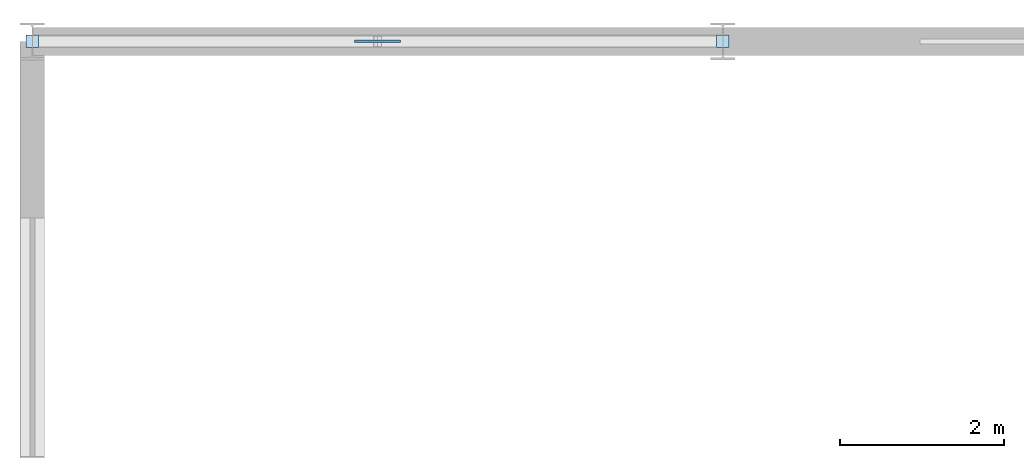
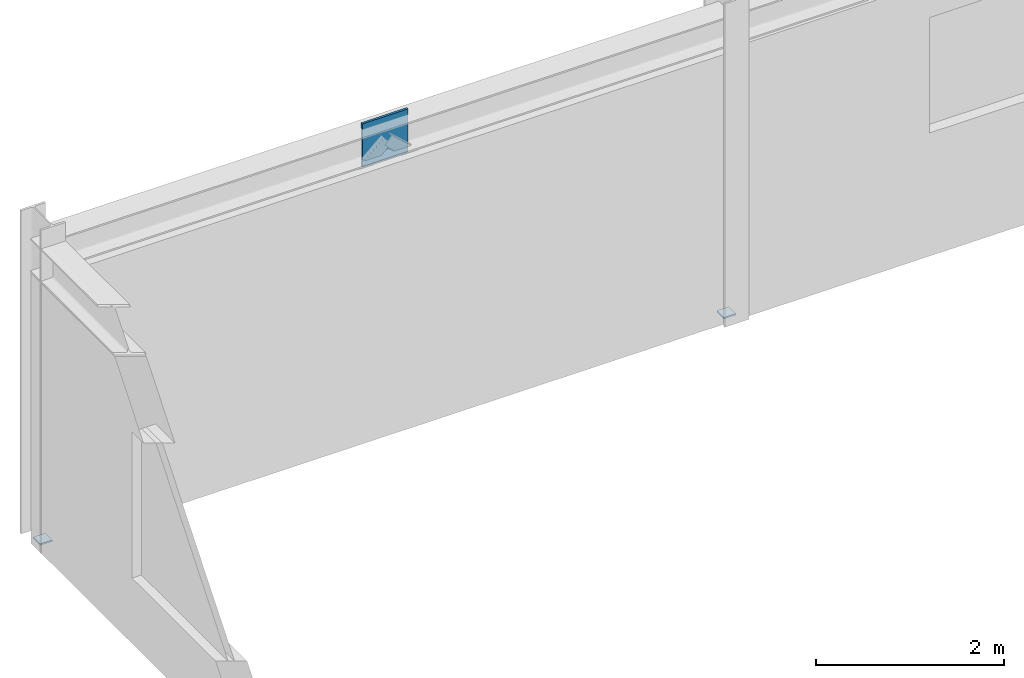
# One storey, part 121 of 134: 3 plates.
"""IFC4 building model written with IfcOpenShell, lengths in metres."""

from ifc_helpers import new_model, si_unit, derived_unit, direction, frame, origin, origin_2d, place, context, subcontext, project, spatial, rectangle, extrude, material, layer, layer_set, type_object, element, save


model = new_model("IFC4")

# Units and contexts
model_context = context("Model", 3, precision=1e-05, world=origin(), true_north=direction((0.0, 1.0)))
body_context = subcontext(model_context, "Body", "Model", "MODEL_VIEW")
ifc_project = project(units=[si_unit("LENGTHUNIT", "METRE"), si_unit("AREAUNIT", "SQUARE_METRE"), si_unit("VOLUMEUNIT", "CUBIC_METRE"), si_unit("PLANEANGLEUNIT", "RADIAN"), si_unit("MASSUNIT", "GRAM", prefix="KILO"), derived_unit("THERMALTRANSMITTANCEUNIT", [(si_unit("MASSUNIT", "GRAM", prefix="KILO"), 1), (si_unit("TIMEUNIT", "SECOND"), -3), (si_unit("THERMODYNAMICTEMPERATUREUNIT", "KELVIN"), -1)])], contexts=[model_context])

# Site, building, storey
site_placement = place(None, origin())
site = spatial("IfcSite", under=ifc_project, at=site_placement, CompositionType="ELEMENT")
building_placement = place(site_placement, origin())
building = spatial("IfcBuilding", under=site, at=building_placement, Name="Kharveza Railside Sports Centre", CompositionType="ELEMENT")
storey_placement = place(building_placement, frame((0.0, 0.0, 12.89990234375)))
storey = spatial("IfcBuildingStorey", under=building, at=storey_placement, Name="L03", CompositionType="ELEMENT", Elevation=12.89990234375)

# Plates
ifc_material = material(Name="Steel S355J2", Category="steel")
ifc_layer_1 = layer(ifc_material, 0.02001953125, Name="Steel S355J2")
ifc_layer_set_1 = layer_set([ifc_layer_1], Name="Steel S355J2")
plate_type_1 = type_object("IfcPlateType", Name="PL-EC11", PredefinedType="USERDEFINED", material=ifc_layer_set_1)
for number, where, z_axis, x_axis, name in (
    (1, (0.0, 108.0, -0.010009765625), (0.0, 0.0, 1.0), (1.0, 0.0, 0.0), "PLT-EC-166"),
    (2, (8.39990234375, 108.0, -0.010009765625), (0.0, 0.0, 1.0), (1.0, 0.0, 0.0), "PLT-EC-167"),
):
    element("IfcPlate", number, at=place(storey_placement, frame(where, z_axis=z_axis, x_axis=x_axis)), inside=storey, type_object=plate_type_1, Name=name, ObjectType="END_CAP_PLATE", PredefinedType="USERDEFINED", context=body_context, shape_type="SweptSolid", body=[
        extrude(rectangle(XDim=0.14990234375, YDim=0.14990234375, at=origin_2d()), origin(), (0.0, 0.0, 1.0), 0.02001953125),
    ])
ifc_layer_2 = layer(ifc_material, 0.028076171875, Name="Steel S355J2")
ifc_layer_set_2 = layer_set([ifc_layer_2], Name="Steel S355J2")
plate_type_2 = type_object("IfcPlateType", Name="PL-GS05", PredefinedType="USERDEFINED", material=ifc_layer_set_2)
plate_placement = place(storey_placement, frame((4.199951171875, 108.0, 3.469970703125), z_axis=(0.0, 0.0, 1.0), x_axis=(1.0, 0.0, 0.0)))
element("IfcPlate", 3, at=plate_placement, inside=storey, type_object=plate_type_2, Name="PLT-GS-CHEV-013", ObjectType="GUSSET_PLATE", PredefinedType="USERDEFINED", context=body_context, shape_type="SweptSolid", body=[
    extrude(rectangle(XDim=0.56005859375, YDim=0.028076171875, at=origin_2d()), origin(), (0.0, 0.0, 1.0), 0.56005859375),
])

save(model, "model.ifc")
